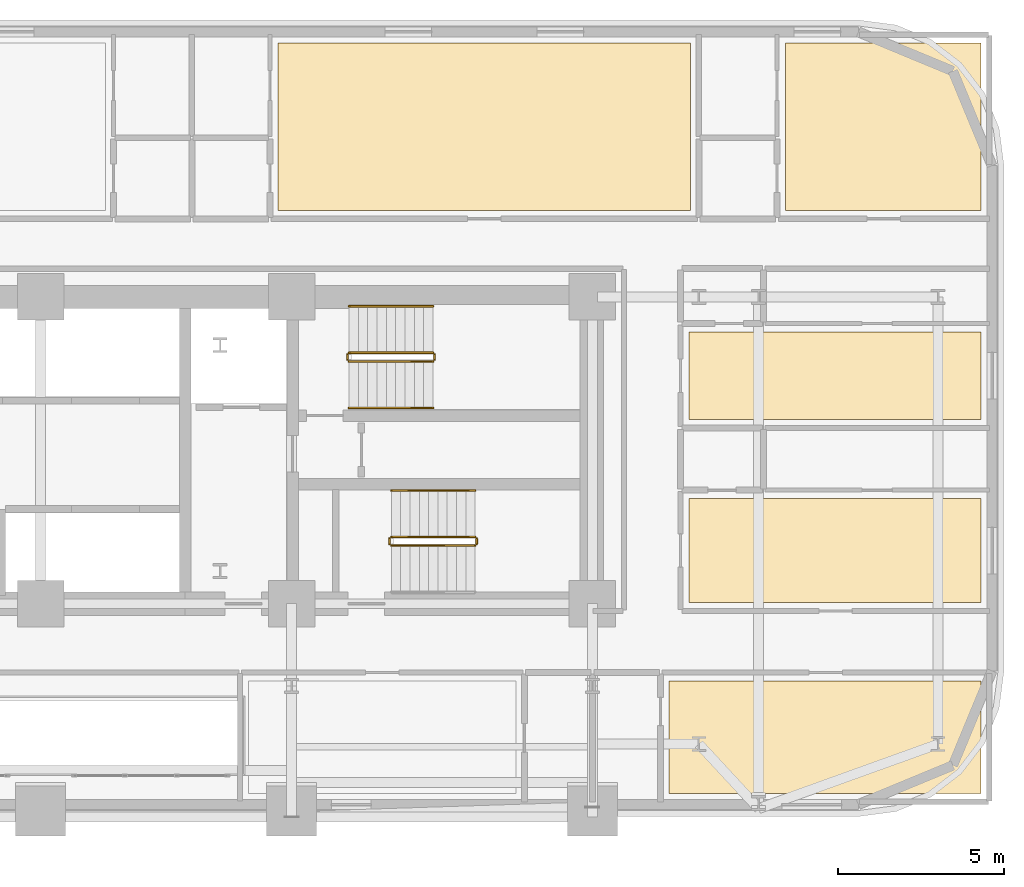
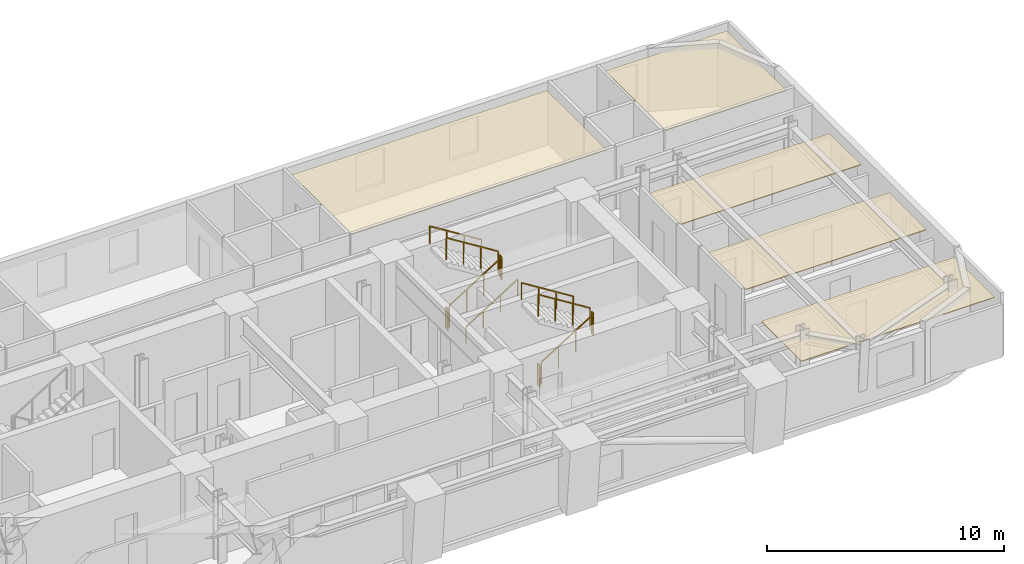
# One storey, part 15 of 15: 11 railings, 5 coverings.
"""IFC4 building model written with IfcOpenShell, lengths in metres."""

from ifc_helpers import new_model, si_unit, direction, frame, origin, origin_2d, place, context, subcontext, project, spatial, polyline, rectangle, outline, extrude, material, layer, layer_set, type_object, element, save


model = new_model("IFC4")

# Units and contexts
model_context = context("Model", 3, precision=1e-05, world=origin(), true_north=direction((0.0, 1.0)))
body_context = subcontext(model_context, "Body", "Model", "MODEL_VIEW")
ifc_project = project(units=[si_unit("LENGTHUNIT", "METRE"), si_unit("AREAUNIT", "SQUARE_METRE"), si_unit("VOLUMEUNIT", "CUBIC_METRE"), si_unit("PLANEANGLEUNIT", "RADIAN"), si_unit("MASSUNIT", "GRAM", prefix="KILO")], contexts=[model_context])

# Site, building, storey
site_placement = place(None, origin())
site = spatial("IfcSite", under=ifc_project, at=site_placement, CompositionType="ELEMENT")
building_placement = place(site_placement, origin())
building = spatial("IfcBuilding", under=site, at=building_placement, Name="Zarnavel Station Tower", CompositionType="ELEMENT")
storey_placement = place(building_placement, frame((0.0, 0.0, 50.0)))
storey = spatial("IfcBuildingStorey", under=building, at=storey_placement, Name="L13", CompositionType="ELEMENT", Elevation=50.0)

# Coverings
ifc_material_1 = material(Name="Perforated Gypsum and Mineral-Wool Acoustic Ceiling", Category="concrete")
ifc_layer = layer(ifc_material_1, 0.0400390625)
ifc_layer_set = layer_set([ifc_layer], Name="COV_CEIL_ACOUSTIC")
covering_type = type_object("IfcCoveringType", Name="COV_CEIL_ACOUSTIC", PredefinedType="CEILING", material=ifc_layer_set)
covering_1_placement = place(storey_placement, frame((0.0, 0.0, 2.919921875)))
element("IfcCovering", 1, at=covering_1_placement, inside=storey, type_object=covering_type, Name="L13 FNE1R Acoustic Ceiling", PredefinedType="CEILING", context=body_context, shape_type="SweptSolid", body=[
    extrude(outline(polyline([(48.300048828125, 27.85009765625), (57.090087890625, 27.85009765625), (57.090087890625, 30.986083984375), (48.300048828125, 30.986083984375), (48.300048828125, 27.85009765625)])), origin(), (0.0, 0.0, 1.0), 0.0400390625),
])
covering_2_placement = place(storey_placement, frame((0.0, 0.0, 2.919921875)))
element("IfcCovering", 2, at=covering_2_placement, inside=storey, type_object=covering_type, Name="L13 FNE2R Acoustic Ceiling", PredefinedType="CEILING", context=body_context, shape_type="SweptSolid", body=[
    extrude(outline(polyline([(48.300048828125, 33.35888671875), (57.090087890625, 33.35888671875), (57.090087890625, 36.0), (48.300048828125, 36.0), (48.300048828125, 33.35888671875)])), origin(), (0.0, 0.0, 1.0), 0.0400390625),
])
covering_3_placement = place(storey_placement, frame((0.0, 0.0, 2.919921875)))
element("IfcCovering", 3, at=covering_3_placement, inside=storey, type_object=covering_type, Name="L13 HN3R Acoustic Ceiling", PredefinedType="CEILING", context=body_context, shape_type="SweptSolid", body=[
    extrude(outline(polyline([(35.947021484375, 39.64990234375), (48.35009765625, 39.64990234375), (48.35009765625, 44.68994140625), (35.947021484375, 44.68994140625), (35.947021484375, 39.64990234375)])), origin(), (0.0, 0.0, 1.0), 0.0400390625),
])
covering_4_placement = place(storey_placement, frame((0.0, 0.0, 2.919921875)))
element("IfcCovering", 4, at=covering_4_placement, inside=storey, type_object=covering_type, Name="L13 HN4R Acoustic Ceiling", PredefinedType="CEILING", context=body_context, shape_type="SweptSolid", body=[
    extrude(outline(polyline([(51.199951171875, 39.64990234375), (57.090087890625, 39.64990234375), (57.090087890625, 44.68994140625), (51.199951171875, 44.68994140625), (51.199951171875, 39.64990234375)])), origin(), (0.0, 0.0, 1.0), 0.0400390625),
])
covering_5_placement = place(storey_placement, frame((0.0, 0.0, 2.919921875)))
element("IfcCovering", 5, at=covering_5_placement, inside=storey, type_object=covering_type, Name="L13 HE2R Acoustic Ceiling", PredefinedType="CEILING", context=body_context, shape_type="SweptSolid", body=[
    extrude(outline(polyline([(47.699951171875, 22.110107421875), (57.090087890625, 22.110107421875), (57.090087890625, 25.5), (47.699951171875, 25.5), (47.699951171875, 22.110107421875)])), origin(), (0.0, 0.0, 1.0), 0.0400390625),
])

# Railings
ifc_material_2 = material(Name="Painted Steel S355J2 Balustrade", Category="steel")
railing_type_1 = type_object("IfcRailingType", Name="GR_INT_1150", PredefinedType="GUARDRAIL", material=ifc_material_2)
railing_1_placement = place(storey_placement, frame((38.080078125, 35.110107421875, 0.175048828125)))
element("IfcRailing", 6, at=railing_1_placement, inside=storey, type_object=railing_type_1, Name="L13 ST2 stair guard 1", PredefinedType="GUARDRAIL", context=body_context, shape_type="SweptSolid", body=[
    extrude(rectangle(XDim=0.048095703125, YDim=0.048095703125, at=origin_2d()), frame((0.001708984375, 0.0, 1.126953125), z_axis=(0.848007534815, 0.0, 0.529984170421), x_axis=(0.0, 1.0, 0.0)), (0.0, 0.0, 1.0), 2.9677734375),
    extrude(rectangle(XDim=0.0419921875, YDim=0.0419921875, at=origin_2d()), origin(), (0.0, 0.0, 1.0), 1.101806640625),
    extrude(rectangle(XDim=0.0419921875, YDim=0.0419921875, at=origin_2d()), frame((0.840087890625, 0.0, 0.52490234375)), (0.0, 0.0, 1.0), 1.101806640625),
    extrude(rectangle(XDim=0.0419921875, YDim=0.0419921875, at=origin_2d()), frame((1.679931640625, 0.0, 1.050048828125)), (0.0, 0.0, 1.0), 1.101806640625),
    extrude(rectangle(XDim=0.0419921875, YDim=0.0419921875, at=origin_2d()), frame((2.52001953125, 0.0, 1.574951171875)), (0.0, 0.0, 1.0), 1.101806640625),
])
railing_2_placement = place(storey_placement, frame((40.64990234375, 35.159912109375, 1.75)))
element("IfcRailing", 7, at=railing_2_placement, inside=storey, type_object=railing_type_1, Name="L13 ST2 stair guard 2", PredefinedType="GUARDRAIL", context=body_context, shape_type="SweptSolid", body=[
    extrude(rectangle(XDim=0.048095703125, YDim=0.048095703125, at=origin_2d()), frame((0.0, 0.001953125, 1.1259765625), z_axis=(0.0, 1.0, 0.0), x_axis=(-1.0, 0.0, 0.0)), (0.0, 0.0, 1.0), 0.15625),
    extrude(rectangle(XDim=0.0419921875, YDim=0.0419921875, at=origin_2d()), origin(), (0.0, 0.0, 1.0), 1.101806640625),
    extrude(rectangle(XDim=0.0419921875, YDim=0.0419921875, at=origin_2d()), frame((0.0, 0.16015625, 0.0)), (0.0, 0.0, 1.0), 1.101806640625),
])
railing_3_placement = place(storey_placement, frame((40.60009765625, 35.3701171875, 1.925048828125)))
element("IfcRailing", 8, at=railing_3_placement, inside=storey, type_object=railing_type_1, Name="L13 ST2 stair guard 3", PredefinedType="GUARDRAIL", context=body_context, shape_type="SweptSolid", body=[
    extrude(rectangle(XDim=0.048095703125, YDim=0.048095703125, at=origin_2d()), frame((-0.001708984375, 0.0, 1.126953125), z_axis=(-0.848007534815, 0.0, 0.529984170421), x_axis=(0.0, -1.0, 0.0)), (0.0, 0.0, 1.0), 2.9677734375),
    extrude(rectangle(XDim=0.0419921875, YDim=0.0419921875, at=origin_2d()), origin(), (0.0, 0.0, 1.0), 1.101806640625),
    extrude(rectangle(XDim=0.0419921875, YDim=0.0419921875, at=origin_2d()), frame((-0.840087890625, 0.0, 0.52490234375)), (0.0, 0.0, 1.0), 1.101806640625),
    extrude(rectangle(XDim=0.0419921875, YDim=0.0419921875, at=origin_2d()), frame((-1.679931640625, 0.0, 1.050048828125)), (0.0, 0.0, 1.0), 1.101806640625),
    extrude(rectangle(XDim=0.0419921875, YDim=0.0419921875, at=origin_2d()), frame((-2.52001953125, 0.0, 1.574951171875)), (0.0, 0.0, 1.0), 1.101806640625),
])
railing_4_placement = place(storey_placement, frame((38.030029296875, 35.159912109375, 0.0)))
element("IfcRailing", 9, at=railing_4_placement, inside=storey, type_object=railing_type_1, Name="L13 ST2 stair guard 4", PredefinedType="GUARDRAIL", context=body_context, shape_type="SweptSolid", body=[
    extrude(rectangle(XDim=0.048095703125, YDim=0.048095703125, at=origin_2d()), frame((0.0, 0.001953125, 1.1259765625), z_axis=(0.0, 1.0, 0.0), x_axis=(-1.0, 0.0, 0.0)), (0.0, 0.0, 1.0), 0.15625),
    extrude(rectangle(XDim=0.0419921875, YDim=0.0419921875, at=origin_2d()), origin(), (0.0, 0.0, 1.0), 1.101806640625),
    extrude(rectangle(XDim=0.0419921875, YDim=0.0419921875, at=origin_2d()), frame((0.0, 0.16015625, 0.0)), (0.0, 0.0, 1.0), 1.101806640625),
])
railing_5_placement = place(storey_placement, frame((39.35009765625, 29.570068359375, 0.175048828125)))
element("IfcRailing", 10, at=railing_5_placement, inside=storey, type_object=railing_type_1, Name="L13 ST3 stair guard 1", PredefinedType="GUARDRAIL", context=body_context, shape_type="SweptSolid", body=[
    extrude(rectangle(XDim=0.048095703125, YDim=0.048095703125, at=origin_2d()), frame((0.001708984375, 0.0, 1.126953125), z_axis=(0.848007534815, 0.0, 0.529984170421), x_axis=(0.0, 1.0, 0.0)), (0.0, 0.0, 1.0), 2.9677734375),
    extrude(rectangle(XDim=0.0419921875, YDim=0.0419921875, at=origin_2d()), origin(), (0.0, 0.0, 1.0), 1.101806640625),
    extrude(rectangle(XDim=0.0419921875, YDim=0.0419921875, at=origin_2d()), frame((0.840087890625, 0.0, 0.52490234375)), (0.0, 0.0, 1.0), 1.101806640625),
    extrude(rectangle(XDim=0.0419921875, YDim=0.0419921875, at=origin_2d()), frame((1.679931640625, 0.0, 1.050048828125)), (0.0, 0.0, 1.0), 1.101806640625),
    extrude(rectangle(XDim=0.0419921875, YDim=0.0419921875, at=origin_2d()), frame((2.52001953125, 0.0, 1.574951171875)), (0.0, 0.0, 1.0), 1.101806640625),
])
railing_6_placement = place(storey_placement, frame((41.919921875, 29.6201171875, 1.75)))
element("IfcRailing", 11, at=railing_6_placement, inside=storey, type_object=railing_type_1, Name="L13 ST3 stair guard 2", PredefinedType="GUARDRAIL", context=body_context, shape_type="SweptSolid", body=[
    extrude(rectangle(XDim=0.048095703125, YDim=0.048095703125, at=origin_2d()), frame((0.0, 0.001953125, 1.1259765625), z_axis=(0.0, 1.0, 0.0), x_axis=(-1.0, 0.0, 0.0)), (0.0, 0.0, 1.0), 0.156005859375),
    extrude(rectangle(XDim=0.0419921875, YDim=0.0419921875, at=origin_2d()), origin(), (0.0, 0.0, 1.0), 1.101806640625),
    extrude(rectangle(XDim=0.0419921875, YDim=0.0419921875, at=origin_2d()), frame((0.0, 0.159912109375, 0.0)), (0.0, 0.0, 1.0), 1.101806640625),
])
railing_7_placement = place(storey_placement, frame((41.8701171875, 29.830078125, 1.925048828125)))
element("IfcRailing", 12, at=railing_7_placement, inside=storey, type_object=railing_type_1, Name="L13 ST3 stair guard 3", PredefinedType="GUARDRAIL", context=body_context, shape_type="SweptSolid", body=[
    extrude(rectangle(XDim=0.048095703125, YDim=0.048095703125, at=origin_2d()), frame((-0.001708984375, 0.0, 1.126953125), z_axis=(-0.848007534815, 0.0, 0.529984170421), x_axis=(0.0, -1.0, 0.0)), (0.0, 0.0, 1.0), 2.9677734375),
    extrude(rectangle(XDim=0.0419921875, YDim=0.0419921875, at=origin_2d()), origin(), (0.0, 0.0, 1.0), 1.101806640625),
    extrude(rectangle(XDim=0.0419921875, YDim=0.0419921875, at=origin_2d()), frame((-0.840087890625, 0.0, 0.52490234375)), (0.0, 0.0, 1.0), 1.101806640625),
    extrude(rectangle(XDim=0.0419921875, YDim=0.0419921875, at=origin_2d()), frame((-1.679931640625, 0.0, 1.050048828125)), (0.0, 0.0, 1.0), 1.101806640625),
    extrude(rectangle(XDim=0.0419921875, YDim=0.0419921875, at=origin_2d()), frame((-2.52001953125, 0.0, 1.574951171875)), (0.0, 0.0, 1.0), 1.101806640625),
])
railing_8_placement = place(storey_placement, frame((39.300048828125, 29.6201171875, 0.0)))
element("IfcRailing", 13, at=railing_8_placement, inside=storey, type_object=railing_type_1, Name="L13 ST3 stair guard 4", PredefinedType="GUARDRAIL", context=body_context, shape_type="SweptSolid", body=[
    extrude(rectangle(XDim=0.048095703125, YDim=0.048095703125, at=origin_2d()), frame((0.0, 0.001953125, 1.1259765625), z_axis=(0.0, 1.0, 0.0), x_axis=(-1.0, 0.0, 0.0)), (0.0, 0.0, 1.0), 0.156005859375),
    extrude(rectangle(XDim=0.0419921875, YDim=0.0419921875, at=origin_2d()), origin(), (0.0, 0.0, 1.0), 1.101806640625),
    extrude(rectangle(XDim=0.0419921875, YDim=0.0419921875, at=origin_2d()), frame((0.0, 0.159912109375, 0.0)), (0.0, 0.0, 1.0), 1.101806640625),
])
ifc_material_3 = material(Name="Brushed Stainless Steel S355J2 Handrail", Category="steel")
railing_type_2 = type_object("IfcRailingType", Name="HR_STAIR_900", PredefinedType="HANDRAIL", material=ifc_material_3)
railing_9_placement = place(storey_placement, frame((38.080078125, 33.7099609375, 0.175048828125)))
element("IfcRailing", 14, at=railing_9_placement, inside=storey, type_object=railing_type_2, Name="L13 ST2 stair handrail 1", PredefinedType="HANDRAIL", context=body_context, shape_type="SweptSolid", body=[
    extrude(rectangle(XDim=0.048095703125, YDim=0.048095703125, at=origin_2d()), frame((0.001708984375, 0.0, 0.876953125), z_axis=(0.848007534815, 0.0, 0.529984170421), x_axis=(0.0, 1.0, 0.0)), (0.0, 0.0, 1.0), 2.9677734375),
    extrude(rectangle(XDim=0.0419921875, YDim=0.0419921875, at=origin_2d()), origin(), (0.0, 0.0, 1.0), 0.851806640625),
    extrude(rectangle(XDim=0.0419921875, YDim=0.0419921875, at=origin_2d()), frame((0.840087890625, 0.0, 0.52490234375)), (0.0, 0.0, 1.0), 0.851806640625),
    extrude(rectangle(XDim=0.0419921875, YDim=0.0419921875, at=origin_2d()), frame((1.679931640625, 0.0, 1.050048828125)), (0.0, 0.0, 1.0), 0.851806640625),
    extrude(rectangle(XDim=0.0419921875, YDim=0.0419921875, at=origin_2d()), frame((2.52001953125, 0.0, 1.574951171875)), (0.0, 0.0, 1.0), 0.851806640625),
])
for number, where, name in (
    (15, (40.60009765625, 36.77001953125, 1.925048828125), "L13 ST2 stair handrail 2"),
    (16, (41.8701171875, 31.22998046875, 1.925048828125), "L13 ST3 stair handrail 2"),
):
    element("IfcRailing", number, at=place(storey_placement, frame(where)), inside=storey, type_object=railing_type_2, Name=name, PredefinedType="HANDRAIL", context=body_context, shape_type="SweptSolid", body=[
        extrude(rectangle(XDim=0.048095703125, YDim=0.048095703125, at=origin_2d()), frame((-0.001708984375, 0.0, 0.876953125), z_axis=(-0.848007534815, 0.0, 0.529984170421), x_axis=(0.0, -1.0, 0.0)), (0.0, 0.0, 1.0), 2.9677734375),
        extrude(rectangle(XDim=0.0419921875, YDim=0.0419921875, at=origin_2d()), origin(), (0.0, 0.0, 1.0), 0.851806640625),
        extrude(rectangle(XDim=0.0419921875, YDim=0.0419921875, at=origin_2d()), frame((-0.840087890625, 0.0, 0.52490234375)), (0.0, 0.0, 1.0), 0.851806640625),
        extrude(rectangle(XDim=0.0419921875, YDim=0.0419921875, at=origin_2d()), frame((-1.679931640625, 0.0, 1.050048828125)), (0.0, 0.0, 1.0), 0.851806640625),
        extrude(rectangle(XDim=0.0419921875, YDim=0.0419921875, at=origin_2d()), frame((-2.52001953125, 0.0, 1.574951171875)), (0.0, 0.0, 1.0), 0.851806640625),
    ])

save(model, "model.ifc")
